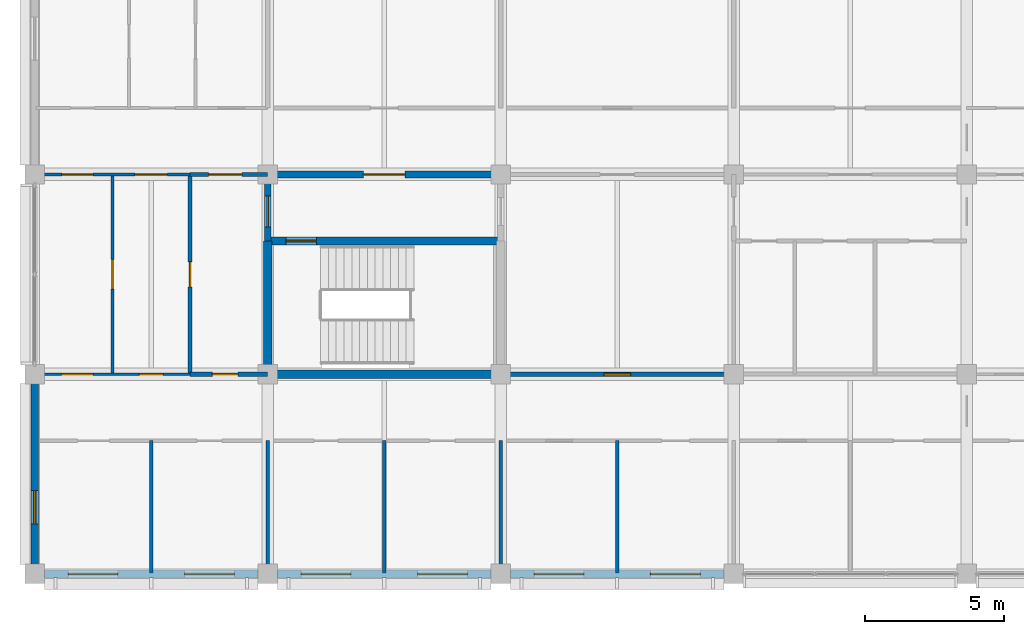
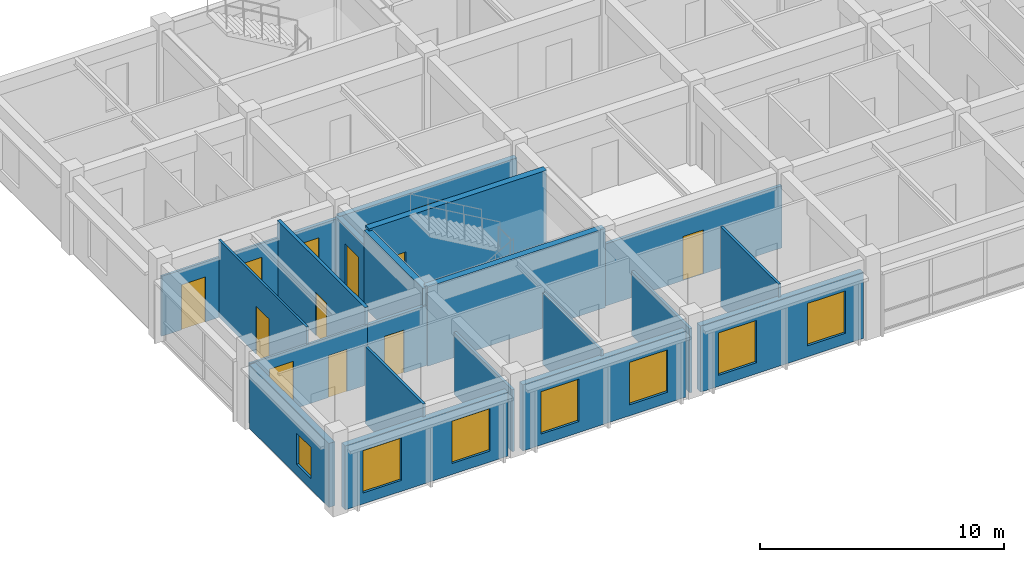
# One storey, part 10 of 19: 21 walls, 12 doors, 7 windows, 19 openings.
"""IFC4 building model written with IfcOpenShell, lengths in metres."""

from ifc_helpers import new_model, si_unit, direction, frame, frame_2d, origin, place, context, subcontext, project, spatial, rectangle, extrude, material, layer, layer_set, type_object, element, fill, save


model = new_model("IFC4")

# Units and contexts
model_context = context("Model", 3, precision=1e-05, world=origin(), true_north=direction((0.0, 1.0)))
body_context = subcontext(model_context, "Body", "Model", "MODEL_VIEW")
ifc_project = project(units=[si_unit("LENGTHUNIT", "METRE"), si_unit("AREAUNIT", "SQUARE_METRE"), si_unit("VOLUMEUNIT", "CUBIC_METRE"), si_unit("PLANEANGLEUNIT", "RADIAN"), si_unit("MASSUNIT", "GRAM", prefix="KILO")], contexts=[model_context])

# Site, building, storey
site_placement = place(None, origin())
site = spatial("IfcSite", under=ifc_project, at=site_placement, CompositionType="ELEMENT")
building_placement = place(site_placement, origin())
building = spatial("IfcBuilding", under=site, at=building_placement, Name="Chengyuan Square Courthouse", CompositionType="ELEMENT")
storey_placement = place(building_placement, frame((0.0, 0.0, 56.10009765625)))
storey = spatial("IfcBuildingStorey", under=building, at=storey_placement, Name="L13", CompositionType="ELEMENT", Elevation=56.10009765625)

# Wall, openings, windows
ifc_material_1 = material(Name="Concrete C40", Category="concrete")
ifc_layer_1 = layer(ifc_material_1, 0.280029296875)
ifc_layer_set_1 = layer_set([ifc_layer_1], Name="Concrete C40")
wall_type_1 = type_object("IfcWallType", Name="WL-EW4", PredefinedType="STANDARD", material=ifc_layer_set_1)
wall_1_placement = place(storey_placement, frame((50.7451171875, 79.199951171875, 0.0), z_axis=(0.0, 0.0, 1.0), x_axis=(1.0, 0.0, 0.0)))
wall_1 = element("IfcWall", 1, at=wall_1_placement, inside=storey, type_object=wall_type_1, Name="Exterior Wall WL-L13-E488", PredefinedType="STANDARD", context=body_context, shape_type="SweptSolid", body=[
    extrude(rectangle(XDim=7.7099609375, YDim=0.280029296875, at=frame_2d((3.85498046875, 0.0))), origin(), (0.0, 0.0, 1.0), 3.199951171875),
])
opening_1_placement = place(wall_1_placement, frame((0.85498046875, 0.0, 0.550048828125)))
opening_1 = element("IfcOpeningElement", 2, at=opening_1_placement, cuts=wall_1, Name="Opening WN-220", PredefinedType="OPENING", context=body_context, shape_type="SweptSolid", body=[
    extrude(rectangle(XDim=1.800048828125, YDim=2.1201171875, at=frame_2d((0.89990234375, 1.06005859375))), frame((0.0, 0.152099609375, 0.0), z_axis=(0.0, -1.0, 0.0), x_axis=(1.0, 0.0, 0.0)), (0.0, 0.0, 1.0), 0.303955078125),
])
opening_2_placement = place(wall_1_placement, frame((5.054931640625, 0.0, 0.550048828125)))
opening_2 = element("IfcOpeningElement", 3, at=opening_2_placement, cuts=wall_1, Name="Opening WN-221", PredefinedType="OPENING", context=body_context, shape_type="SweptSolid", body=[
    extrude(rectangle(XDim=1.800048828125, YDim=2.1201171875, at=frame_2d((0.89990234375, 1.06005859375))), frame((0.0, 0.152099609375, 0.0), z_axis=(0.0, -1.0, 0.0), x_axis=(1.0, 0.0, 0.0)), (0.0, 0.0, 1.0), 0.303955078125),
])
ifc_material_2 = material(Name="Thermally Broken Aluminium Triple Low-E Window", Category="aluminium")
window_type_1 = type_object("IfcWindowType", Name="WT-36", PartitioningType="SINGLE_PANEL", PredefinedType="WINDOW", material=ifc_material_2)
window_1_placement = place(opening_1_placement, origin())
window_1 = element("IfcWindow", 4, at=window_1_placement, inside=storey, type_object=window_type_1, Name="Facade Window WN-220", OverallHeight=2.1201171875, OverallWidth=1.800048828125, PartitioningType="SINGLE_PANEL", PredefinedType="WINDOW", context=body_context, shape_type="SweptSolid", body=[
    extrude(rectangle(XDim=1.800048828125, YDim=2.1201171875, at=frame_2d((0.89990234375, 1.06005859375))), frame((0.0, 0.030029296875, 0.0), z_axis=(0.0, -1.0, 0.0), x_axis=(1.0, 0.0, 0.0)), (0.0, 0.0, 1.0), 0.06005859375),
])
fill(opening_1, window_1)
window_2_placement = place(opening_2_placement, origin())
window_2 = element("IfcWindow", 5, at=window_2_placement, inside=storey, type_object=window_type_1, Name="Facade Window WN-221", OverallHeight=2.1201171875, OverallWidth=1.800048828125, PartitioningType="SINGLE_PANEL", PredefinedType="WINDOW", context=body_context, shape_type="SweptSolid", body=[
    extrude(rectangle(XDim=1.800048828125, YDim=2.1201171875, at=frame_2d((0.89990234375, 1.06005859375))), frame((0.0, 0.030029296875, 0.0), z_axis=(0.0, -1.0, 0.0), x_axis=(1.0, 0.0, 0.0)), (0.0, 0.0, 1.0), 0.06005859375),
])
fill(opening_2, window_2)

# Wall, opening, window
wall_2_placement = place(storey_placement, frame((50.39990234375, 79.544921875, 0.0), z_axis=(0.0, 0.0, 1.0), x_axis=(0.0, 1.0, 0.0)))
wall_2 = element("IfcWall", 6, at=wall_2_placement, inside=storey, type_object=wall_type_1, Name="Exterior Wall WL-L13-E489", PredefinedType="STANDARD", context=body_context, shape_type="SweptSolid", body=[
    extrude(rectangle(XDim=6.510009765625, YDim=0.280029296875, at=frame_2d((3.2548828125, 0.0))), origin(), (0.0, 0.0, 1.0), 3.199951171875),
])
opening_3_placement = place(wall_2_placement, frame((1.455078125, 0.0, 0.550048828125)))
opening_3 = element("IfcOpeningElement", 7, at=opening_3_placement, cuts=wall_2, Name="Opening WN-222", PredefinedType="OPENING", context=body_context, shape_type="SweptSolid", body=[
    extrude(rectangle(XDim=1.199951171875, YDim=1.56005859375, at=frame_2d((0.60009765625, 0.780029296875))), frame((0.0, 0.152099609375, 0.0), z_axis=(0.0, -1.0, 0.0), x_axis=(1.0, 0.0, 0.0)), (0.0, 0.0, 1.0), 0.303955078125),
])
window_type_2 = type_object("IfcWindowType", Name="WT-15", PartitioningType="SINGLE_PANEL", PredefinedType="WINDOW", material=ifc_material_2)
window_3_placement = place(opening_3_placement, origin())
window_3 = element("IfcWindow", 8, at=window_3_placement, inside=storey, type_object=window_type_2, Name="Facade Window WN-222", OverallHeight=1.56005859375, OverallWidth=1.199951171875, PartitioningType="SINGLE_PANEL", PredefinedType="WINDOW", context=body_context, shape_type="SweptSolid", body=[
    extrude(rectangle(XDim=1.199951171875, YDim=1.56005859375, at=frame_2d((0.60009765625, 0.780029296875))), frame((0.0, 0.030029296875, 0.0), z_axis=(0.0, -1.0, 0.0), x_axis=(1.0, 0.0, 0.0)), (0.0, 0.0, 1.0), 0.06005859375),
])
fill(opening_3, window_3)

# Wall, openings, windows
wall_3_placement = place(storey_placement, frame((59.14501953125, 79.199951171875, 0.0), z_axis=(0.0, 0.0, 1.0), x_axis=(1.0, 0.0, 0.0)))
wall_3 = element("IfcWall", 9, at=wall_3_placement, inside=storey, type_object=wall_type_1, Name="Exterior Wall WL-L13-E493", PredefinedType="STANDARD", context=body_context, shape_type="SweptSolid", body=[
    extrude(rectangle(XDim=7.7099609375, YDim=0.280029296875, at=frame_2d((3.85498046875, 0.0))), origin(), (0.0, 0.0, 1.0), 3.309814453125),
])
opening_4_placement = place(wall_3_placement, frame((0.85498046875, 0.0, 0.550048828125)))
opening_4 = element("IfcOpeningElement", 10, at=opening_4_placement, cuts=wall_3, Name="Opening WN-226", PredefinedType="OPENING", context=body_context, shape_type="SweptSolid", body=[
    extrude(rectangle(XDim=1.800048828125, YDim=2.1201171875, at=frame_2d((0.89990234375, 1.06005859375))), frame((0.0, 0.152099609375, 0.0), z_axis=(0.0, -1.0, 0.0), x_axis=(1.0, 0.0, 0.0)), (0.0, 0.0, 1.0), 0.303955078125),
])
opening_5_placement = place(wall_3_placement, frame((5.054931640625, 0.0, 0.550048828125)))
opening_5 = element("IfcOpeningElement", 11, at=opening_5_placement, cuts=wall_3, Name="Opening WN-227", PredefinedType="OPENING", context=body_context, shape_type="SweptSolid", body=[
    extrude(rectangle(XDim=1.800048828125, YDim=2.1201171875, at=frame_2d((0.89990234375, 1.06005859375))), frame((0.0, 0.152099609375, 0.0), z_axis=(0.0, -1.0, 0.0), x_axis=(1.0, 0.0, 0.0)), (0.0, 0.0, 1.0), 0.303955078125),
])
window_4_placement = place(opening_4_placement, origin())
window_4 = element("IfcWindow", 12, at=window_4_placement, inside=storey, type_object=window_type_1, Name="Facade Window WN-226", OverallHeight=2.1201171875, OverallWidth=1.800048828125, PartitioningType="SINGLE_PANEL", PredefinedType="WINDOW", context=body_context, shape_type="SweptSolid", body=[
    extrude(rectangle(XDim=1.800048828125, YDim=2.1201171875, at=frame_2d((0.89990234375, 1.06005859375))), frame((0.0, 0.030029296875, 0.0), z_axis=(0.0, -1.0, 0.0), x_axis=(1.0, 0.0, 0.0)), (0.0, 0.0, 1.0), 0.06005859375),
])
fill(opening_4, window_4)
window_5_placement = place(opening_5_placement, origin())
window_5 = element("IfcWindow", 13, at=window_5_placement, inside=storey, type_object=window_type_1, Name="Facade Window WN-227", OverallHeight=2.1201171875, OverallWidth=1.800048828125, PartitioningType="SINGLE_PANEL", PredefinedType="WINDOW", context=body_context, shape_type="SweptSolid", body=[
    extrude(rectangle(XDim=1.800048828125, YDim=2.1201171875, at=frame_2d((0.89990234375, 1.06005859375))), frame((0.0, 0.030029296875, 0.0), z_axis=(0.0, -1.0, 0.0), x_axis=(1.0, 0.0, 0.0)), (0.0, 0.0, 1.0), 0.06005859375),
])
fill(opening_5, window_5)

wall_4_placement = place(storey_placement, frame((67.544921875, 79.199951171875, 0.0), z_axis=(0.0, 0.0, 1.0), x_axis=(1.0, 0.0, 0.0)))
wall_4 = element("IfcWall", 14, at=wall_4_placement, inside=storey, type_object=wall_type_1, Name="Exterior Wall WL-L13-E495", PredefinedType="STANDARD", context=body_context, shape_type="SweptSolid", body=[
    extrude(rectangle(XDim=7.7099609375, YDim=0.280029296875, at=frame_2d((3.85498046875, 0.0))), origin(), (0.0, 0.0, 1.0), 3.309814453125),
])
opening_6_placement = place(wall_4_placement, frame((0.85498046875, 0.0, 0.550048828125)))
opening_6 = element("IfcOpeningElement", 15, at=opening_6_placement, cuts=wall_4, Name="Opening WN-228", PredefinedType="OPENING", context=body_context, shape_type="SweptSolid", body=[
    extrude(rectangle(XDim=1.800048828125, YDim=2.1201171875, at=frame_2d((0.89990234375, 1.06005859375))), frame((0.0, 0.152099609375, 0.0), z_axis=(0.0, -1.0, 0.0), x_axis=(1.0, 0.0, 0.0)), (0.0, 0.0, 1.0), 0.303955078125),
])
opening_7_placement = place(wall_4_placement, frame((5.054931640625, 0.0, 0.550048828125)))
opening_7 = element("IfcOpeningElement", 16, at=opening_7_placement, cuts=wall_4, Name="Opening WN-229", PredefinedType="OPENING", context=body_context, shape_type="SweptSolid", body=[
    extrude(rectangle(XDim=1.800048828125, YDim=2.1201171875, at=frame_2d((0.89990234375, 1.06005859375))), frame((0.0, 0.152099609375, 0.0), z_axis=(0.0, -1.0, 0.0), x_axis=(1.0, 0.0, 0.0)), (0.0, 0.0, 1.0), 0.303955078125),
])
window_6_placement = place(opening_6_placement, origin())
window_6 = element("IfcWindow", 17, at=window_6_placement, inside=storey, type_object=window_type_1, Name="Facade Window WN-228", OverallHeight=2.1201171875, OverallWidth=1.800048828125, PartitioningType="SINGLE_PANEL", PredefinedType="WINDOW", context=body_context, shape_type="SweptSolid", body=[
    extrude(rectangle(XDim=1.800048828125, YDim=2.1201171875, at=frame_2d((0.89990234375, 1.06005859375))), frame((0.0, 0.030029296875, 0.0), z_axis=(0.0, -1.0, 0.0), x_axis=(1.0, 0.0, 0.0)), (0.0, 0.0, 1.0), 0.06005859375),
])
fill(opening_6, window_6)
window_7_placement = place(opening_7_placement, origin())
window_7 = element("IfcWindow", 18, at=window_7_placement, inside=storey, type_object=window_type_1, Name="Facade Window WN-229", OverallHeight=2.1201171875, OverallWidth=1.800048828125, PartitioningType="SINGLE_PANEL", PredefinedType="WINDOW", context=body_context, shape_type="SweptSolid", body=[
    extrude(rectangle(XDim=1.800048828125, YDim=2.1201171875, at=frame_2d((0.89990234375, 1.06005859375))), frame((0.0, 0.030029296875, 0.0), z_axis=(0.0, -1.0, 0.0), x_axis=(1.0, 0.0, 0.0)), (0.0, 0.0, 1.0), 0.06005859375),
])
fill(opening_7, window_7)

# Wall, opening, door
ifc_layer_2 = layer(ifc_material_1, 0.25)
ifc_layer_set_2 = layer_set([ifc_layer_2], Name="Concrete C40")
wall_type_2 = type_object("IfcWallType", Name="WL-FW1", PredefinedType="STANDARD", material=ifc_layer_set_2)
wall_5_placement = place(storey_placement, frame((58.800048828125, 93.60009765625, 0.0), z_axis=(0.0, 0.0, 1.0), x_axis=(1.0, 0.0, 0.0)))
wall_5 = element("IfcWall", 19, at=wall_5_placement, inside=storey, type_object=wall_type_2, Name="Interior Wall WL-L13-I3784", PredefinedType="STANDARD", context=body_context, shape_type="SweptSolid", body=[
    extrude(rectangle(XDim=8.39990234375, YDim=0.25, at=frame_2d((4.199951171875, 0.0))), origin(), (0.0, 0.0, 1.0), 3.10986328125),
])
opening_8_placement = place(wall_5_placement, frame((3.449951171875, 0.0, 0.0)))
opening_8 = element("IfcOpeningElement", 20, at=opening_8_placement, cuts=wall_5, Name="Opening DR-3133", PredefinedType="OPENING", context=body_context, shape_type="SweptSolid", body=[
    extrude(rectangle(XDim=1.5, YDim=2.25, at=frame_2d((0.75, 1.125))), frame((0.0, 0.136962890625, 0.0), z_axis=(0.0, -1.0, 0.0), x_axis=(1.0, 0.0, 0.0)), (0.0, 0.0, 1.0), 0.27392578125),
])
ifc_material_3 = material(Name="Steel Q235B Glazed Fire Door", Category="steel")
door_type_1 = type_object("IfcDoorType", Name="DT-19", OperationType="DOUBLE_DOOR_SINGLE_SWING", PredefinedType="DOOR", material=ifc_material_3)
door_1_placement = place(opening_8_placement, frame((1.5, 0.0, 0.0), z_axis=(0.0, 0.0, 1.0), x_axis=(-1.0, 0.0, 0.0)))
door_1 = element("IfcDoor", 21, at=door_1_placement, inside=storey, type_object=door_type_1, Name="Interior Door DR-3133", OperationType="DOUBLE_DOOR_SINGLE_SWING", OverallHeight=2.25, OverallWidth=1.5, PredefinedType="DOOR", context=body_context, shape_type="SweptSolid", body=[
    extrude(rectangle(XDim=1.5, YDim=2.25, at=frame_2d((0.75, 1.125))), frame((0.0, 0.02490234375, 0.0), z_axis=(0.0, -1.0, 0.0), x_axis=(1.0, 0.0, 0.0)), (0.0, 0.0, 1.0), 0.050048828125),
])
fill(opening_8, door_1)

wall_6_placement = place(storey_placement, frame((58.800048828125, 91.199951171875, 0.0), z_axis=(0.0, 0.0, 1.0), x_axis=(0.0, 1.0, 0.0)))
wall_6 = element("IfcWall", 22, at=wall_6_placement, inside=storey, type_object=wall_type_2, Name="Interior Wall WL-L13-I3830", PredefinedType="STANDARD", context=body_context, shape_type="SweptSolid", body=[
    extrude(rectangle(XDim=2.400146484375, YDim=0.25, at=frame_2d((1.2001953125, 0.0))), origin(), (0.0, 0.0, 1.0), 3.099853515625),
])
opening_9_placement = place(wall_6_placement, frame((0.514892578125, 0.0, 0.0)))
opening_9 = element("IfcOpeningElement", 23, at=opening_9_placement, cuts=wall_6, Name="Opening DR-3134", PredefinedType="OPENING", context=body_context, shape_type="SweptSolid", body=[
    extrude(rectangle(XDim=1.10009765625, YDim=2.199951171875, at=frame_2d((0.550048828125, 1.10009765625))), frame((0.0, 0.136962890625, 0.0), z_axis=(0.0, -1.0, 0.0), x_axis=(1.0, 0.0, 0.0)), (0.0, 0.0, 1.0), 0.27392578125),
])
ifc_material_4 = material(Name="Steel Q235B Fire Door", Category="steel")
door_type_2 = type_object("IfcDoorType", Name="DT-10", OperationType="NOTDEFINED", PredefinedType="DOOR", material=ifc_material_4)
door_2_placement = place(opening_9_placement, origin())
door_2 = element("IfcDoor", 24, at=door_2_placement, inside=storey, type_object=door_type_2, Name="Interior Door DR-3134", OperationType="SINGLE_SWING_RIGHT", OverallHeight=2.199951171875, OverallWidth=1.10009765625, PredefinedType="DOOR", context=body_context, shape_type="SweptSolid", body=[
    extrude(rectangle(XDim=1.10009765625, YDim=2.199951171875, at=frame_2d((0.550048828125, 1.10009765625))), frame((0.0, 0.02490234375, 0.0), z_axis=(0.0, -1.0, 0.0), x_axis=(1.0, 0.0, 0.0)), (0.0, 0.0, 1.0), 0.050048828125),
])
fill(opening_9, door_2)

ifc_material_5 = material(Name="Deliberation Room Sound-Insulated Partition")
ifc_layer_3 = layer(ifc_material_5, 0.14990234375)
ifc_layer_set_3 = layer_set([ifc_layer_3], Name="Deliberation Room Sound-Insulated Partition")
wall_type_3 = type_object("IfcWallType", Name="WL-PT3", PredefinedType="STANDARD", material=ifc_layer_set_3)
wall_7_placement = place(storey_placement, frame((56.0, 86.39990234375, 0.0), z_axis=(0.0, 0.0, 1.0), x_axis=(1.0, 0.0, 0.0)))
wall_7 = element("IfcWall", 25, at=wall_7_placement, inside=storey, type_object=wall_type_3, Name="Interior Wall WL-L13-I3770", PredefinedType="STANDARD", context=body_context, shape_type="SweptSolid", body=[
    extrude(rectangle(XDim=2.800048828125, YDim=0.14990234375, at=frame_2d((1.39990234375, 0.0))), origin(), (0.0, 0.0, 1.0), 3.0),
])
opening_10_placement = place(wall_7_placement, frame((0.804931640625, 0.0, 0.0)))
opening_10 = element("IfcOpeningElement", 26, at=opening_10_placement, cuts=wall_7, Name="Opening DR-3202", PredefinedType="OPENING", context=body_context, shape_type="SweptSolid", body=[
    extrude(rectangle(XDim=0.919921875, YDim=2.14990234375, at=frame_2d((0.4599609375, 1.074951171875))), frame((0.0, 0.0869140625, 0.0), z_axis=(0.0, -1.0, 0.0), x_axis=(1.0, 0.0, 0.0)), (0.0, 0.0, 1.0), 0.173828125),
])
ifc_material_6 = material(Name="Acoustic Solid-Core Timber Door", Category="wood")
door_type_3 = type_object("IfcDoorType", Name="DT-29", OperationType="NOTDEFINED", PredefinedType="DOOR", material=ifc_material_6)
door_3_placement = place(opening_10_placement, origin())
door_3 = element("IfcDoor", 27, at=door_3_placement, inside=storey, type_object=door_type_3, Name="Interior Door DR-3202", OperationType="SINGLE_SWING_LEFT", OverallHeight=2.14990234375, OverallWidth=0.919921875, PredefinedType="DOOR", context=body_context, shape_type="SweptSolid", body=[
    extrude(rectangle(XDim=0.919921875, YDim=2.14990234375, at=frame_2d((0.4599609375, 1.074951171875))), frame((0.0, 0.02490234375, 0.0), z_axis=(0.0, -1.0, 0.0), x_axis=(1.0, 0.0, 0.0)), (0.0, 0.0, 1.0), 0.050048828125),
])
fill(opening_10, door_3)

wall_8_placement = place(storey_placement, frame((67.199951171875, 86.39990234375, 0.0), z_axis=(0.0, 0.0, 1.0), x_axis=(1.0, 0.0, 0.0)))
wall_8 = element("IfcWall", 28, at=wall_8_placement, inside=storey, type_object=wall_type_3, Name="Interior Wall WL-L13-I3772", PredefinedType="STANDARD", context=body_context, shape_type="SweptSolid", body=[
    extrude(rectangle(XDim=8.400146484375, YDim=0.14990234375, at=frame_2d((4.2001953125, 0.0))), origin(), (0.0, 0.0, 1.0), 3.10986328125),
])
opening_11_placement = place(wall_8_placement, frame((3.719970703125, 0.0, 0.0)))
opening_11 = element("IfcOpeningElement", 29, at=opening_11_placement, cuts=wall_8, Name="Opening DR-3203", PredefinedType="OPENING", context=body_context, shape_type="SweptSolid", body=[
    extrude(rectangle(XDim=0.9599609375, YDim=2.199951171875, at=frame_2d((0.47998046875, 1.10009765625))), frame((0.0, 0.0869140625, 0.0), z_axis=(0.0, -1.0, 0.0), x_axis=(1.0, 0.0, 0.0)), (0.0, 0.0, 1.0), 0.173828125),
])
door_type_4 = type_object("IfcDoorType", Name="DT-30", OperationType="NOTDEFINED", PredefinedType="DOOR", material=ifc_material_6)
door_4_placement = place(opening_11_placement, origin())
door_4 = element("IfcDoor", 30, at=door_4_placement, inside=storey, type_object=door_type_4, Name="Interior Door DR-3203", OperationType="SINGLE_SWING_RIGHT", OverallHeight=2.199951171875, OverallWidth=0.9599609375, PredefinedType="DOOR", context=body_context, shape_type="SweptSolid", body=[
    extrude(rectangle(XDim=0.9599609375, YDim=2.199951171875, at=frame_2d((0.47998046875, 1.10009765625))), frame((0.0, 0.02490234375, 0.0), z_axis=(0.0, -1.0, 0.0), x_axis=(1.0, 0.0, 0.0)), (0.0, 0.0, 1.0), 0.050048828125),
])
fill(opening_11, door_4)

wall_9_placement = place(storey_placement, frame((56.0, 93.60009765625, 0.0), z_axis=(0.0, 0.0, 1.0), x_axis=(1.0, 0.0, 0.0)))
wall_9 = element("IfcWall", 31, at=wall_9_placement, inside=storey, type_object=wall_type_3, Name="Interior Wall WL-L13-I3783", PredefinedType="STANDARD", context=body_context, shape_type="SweptSolid", body=[
    extrude(rectangle(XDim=2.800048828125, YDim=0.14990234375, at=frame_2d((1.39990234375, 0.0))), origin(), (0.0, 0.0, 1.0), 3.0),
])
opening_12_placement = place(wall_9_placement, frame((0.6650390625, 0.0, 0.0)))
opening_12 = element("IfcOpeningElement", 32, at=opening_12_placement, cuts=wall_9, Name="Opening DR-3175", PredefinedType="OPENING", context=body_context, shape_type="SweptSolid", body=[
    extrude(rectangle(XDim=1.199951171875, YDim=2.35009765625, at=frame_2d((0.60009765625, 1.175048828125))), frame((0.0, 0.0869140625, 0.0), z_axis=(0.0, -1.0, 0.0), x_axis=(1.0, 0.0, 0.0)), (0.0, 0.0, 1.0), 0.173828125),
])
door_type_5 = type_object("IfcDoorType", Name="DT-36", OperationType="NOTDEFINED", PredefinedType="DOOR", material=ifc_material_6)
door_5_placement = place(opening_12_placement, origin())
door_5 = element("IfcDoor", 33, at=door_5_placement, inside=storey, type_object=door_type_5, Name="Interior Door DR-3175", OperationType="SINGLE_SWING_RIGHT", OverallHeight=2.35009765625, OverallWidth=1.199951171875, PredefinedType="DOOR", context=body_context, shape_type="SweptSolid", body=[
    extrude(rectangle(XDim=1.199951171875, YDim=2.35009765625, at=frame_2d((0.60009765625, 1.175048828125))), frame((0.0, 0.02490234375, 0.0), z_axis=(0.0, -1.0, 0.0), x_axis=(1.0, 0.0, 0.0)), (0.0, 0.0, 1.0), 0.050048828125),
])
fill(opening_12, door_5)

wall_10_placement = place(storey_placement, frame((56.0, 86.39990234375, 0.0), z_axis=(0.0, 0.0, 1.0), x_axis=(0.0, 1.0, 0.0)))
wall_10 = element("IfcWall", 34, at=wall_10_placement, inside=storey, type_object=wall_type_3, Name="Interior Wall WL-L13-I3826", PredefinedType="STANDARD", context=body_context, shape_type="SweptSolid", body=[
    extrude(rectangle(XDim=7.2001953125, YDim=0.14990234375, at=frame_2d((3.60009765625, 0.0))), origin(), (0.0, 0.0, 1.0), 3.849853515625),
])
opening_13_placement = place(wall_10_placement, frame((3.14990234375, 0.0, 0.0)))
opening_13 = element("IfcOpeningElement", 35, at=opening_13_placement, cuts=wall_10, Name="Opening DR-3200", PredefinedType="OPENING", context=body_context, shape_type="SweptSolid", body=[
    extrude(rectangle(XDim=0.89990234375, YDim=2.14990234375, at=frame_2d((0.449951171875, 1.074951171875))), frame((0.0, 0.0869140625, 0.0), z_axis=(0.0, -1.0, 0.0), x_axis=(1.0, 0.0, 0.0)), (0.0, 0.0, 1.0), 0.173828125),
])
door_type_6 = type_object("IfcDoorType", Name="DT-27", OperationType="NOTDEFINED", PredefinedType="DOOR", material=ifc_material_6)
door_6_placement = place(opening_13_placement, origin())
door_6 = element("IfcDoor", 36, at=door_6_placement, inside=storey, type_object=door_type_6, Name="Interior Door DR-3200", OperationType="SINGLE_SWING_LEFT", OverallHeight=2.14990234375, OverallWidth=0.89990234375, PredefinedType="DOOR", context=body_context, shape_type="SweptSolid", body=[
    extrude(rectangle(XDim=0.89990234375, YDim=2.14990234375, at=frame_2d((0.449951171875, 1.074951171875))), frame((0.0, 0.02490234375, 0.0), z_axis=(0.0, -1.0, 0.0), x_axis=(1.0, 0.0, 0.0)), (0.0, 0.0, 1.0), 0.050048828125),
])
fill(opening_13, door_6)

# Walls
ifc_material_7 = material(Name="Judges Chambers Gypsum Stud Partition")
ifc_layer_4 = layer(ifc_material_7, 0.1201171875)
ifc_layer_set_4 = layer_set([ifc_layer_4], Name="Judges Chambers Gypsum Stud Partition")
wall_type_4 = type_object("IfcWallType", Name="WL-PT5", PredefinedType="STANDARD", material=ifc_layer_set_4)
wall_11_placement = place(storey_placement, frame((54.60009765625, 79.239990234375, 0.0), z_axis=(0.0, 0.0, 1.0), x_axis=(0.0, 1.0, 0.0)))
element("IfcWall", 37, at=wall_11_placement, inside=storey, type_object=wall_type_4, Name="Interior Wall WL-L13-I3825", PredefinedType="STANDARD", context=body_context, shape_type="SweptSolid", body=[
    extrude(rectangle(XDim=4.760009765625, YDim=0.1201171875, at=frame_2d((2.3798828125, 0.0))), origin(), (0.0, 0.0, 1.0), 3.849853515625),
])
wall_12_placement = place(storey_placement, frame((58.800048828125, 79.239990234375, 0.0), z_axis=(0.0, 0.0, 1.0), x_axis=(0.0, 1.0, 0.0)))
element("IfcWall", 38, at=wall_12_placement, inside=storey, type_object=wall_type_4, Name="Interior Wall WL-L13-I3828", PredefinedType="STANDARD", context=body_context, shape_type="SweptSolid", body=[
    extrude(rectangle(XDim=4.760009765625, YDim=0.1201171875, at=frame_2d((2.3798828125, 0.0))), origin(), (0.0, 0.0, 1.0), 3.099853515625),
])
wall_13_placement = place(storey_placement, frame((63.0, 79.239990234375, 0.0), z_axis=(0.0, 0.0, 1.0), x_axis=(0.0, 1.0, 0.0)))
element("IfcWall", 39, at=wall_13_placement, inside=storey, type_object=wall_type_4, Name="Interior Wall WL-L13-I3834", PredefinedType="STANDARD", context=body_context, shape_type="SweptSolid", body=[
    extrude(rectangle(XDim=4.760009765625, YDim=0.1201171875, at=frame_2d((2.3798828125, 0.0))), origin(), (0.0, 0.0, 1.0), 3.60986328125),
])
wall_14_placement = place(storey_placement, frame((67.199951171875, 79.239990234375, 0.0), z_axis=(0.0, 0.0, 1.0), x_axis=(0.0, 1.0, 0.0)))
element("IfcWall", 40, at=wall_14_placement, inside=storey, type_object=wall_type_4, Name="Interior Wall WL-L13-I3835", PredefinedType="STANDARD", context=body_context, shape_type="SweptSolid", body=[
    extrude(rectangle(XDim=4.760009765625, YDim=0.1201171875, at=frame_2d((2.3798828125, 0.0))), origin(), (0.0, 0.0, 1.0), 3.2099609375),
])
wall_15_placement = place(storey_placement, frame((71.39990234375, 79.239990234375, 0.0), z_axis=(0.0, 0.0, 1.0), x_axis=(0.0, 1.0, 0.0)))
element("IfcWall", 41, at=wall_15_placement, inside=storey, type_object=wall_type_4, Name="Interior Wall WL-L13-I3844", PredefinedType="STANDARD", context=body_context, shape_type="SweptSolid", body=[
    extrude(rectangle(XDim=4.760009765625, YDim=0.1201171875, at=frame_2d((2.3798828125, 0.0))), origin(), (0.0, 0.0, 1.0), 3.9599609375),
])

# Wall, openings, doors
ifc_material_8 = material(Name="Gypsum Plasterboard Acoustic Stud Partition")
ifc_layer_5 = layer(ifc_material_8, 0.10009765625)
ifc_layer_set_5 = layer_set([ifc_layer_5], Name="Gypsum Plasterboard Acoustic Stud Partition")
wall_type_5 = type_object("IfcWallType", Name="WL-PT6", PredefinedType="STANDARD", material=ifc_layer_set_5)
wall_16_placement = place(storey_placement, frame((50.43994140625, 86.39990234375, 0.0), z_axis=(0.0, 0.0, 1.0), x_axis=(1.0, 0.0, 0.0)))
wall_16 = element("IfcWall", 42, at=wall_16_placement, inside=storey, type_object=wall_type_5, Name="Interior Wall WL-L13-I3769", PredefinedType="STANDARD", context=body_context, shape_type="SweptSolid", body=[
    extrude(rectangle(XDim=5.56005859375, YDim=0.10009765625, at=frame_2d((2.780029296875, 0.0))), origin(), (0.0, 0.0, 1.0), 3.0),
])
opening_14_placement = place(wall_16_placement, frame((0.925048828125, 0.0, 0.0)))
opening_14 = element("IfcOpeningElement", 43, at=opening_14_placement, cuts=wall_16, Name="Opening DR-3199", PredefinedType="OPENING", context=body_context, shape_type="SweptSolid", body=[
    extrude(rectangle(XDim=1.139892578125, YDim=2.39990234375, at=frame_2d((0.56982421875, 1.199951171875))), frame((0.0, 0.06201171875, 0.0), z_axis=(0.0, -1.0, 0.0), x_axis=(1.0, 0.0, 0.0)), (0.0, 0.0, 1.0), 0.1240234375),
])
opening_15_placement = place(wall_16_placement, frame((3.72998046875, 0.0, 0.0)))
opening_15 = element("IfcOpeningElement", 44, at=opening_15_placement, cuts=wall_16, Name="Opening DR-3201", PredefinedType="OPENING", context=body_context, shape_type="SweptSolid", body=[
    extrude(rectangle(XDim=0.860107421875, YDim=2.10009765625, at=frame_2d((0.43017578125, 1.050048828125))), frame((0.0, 0.06201171875, 0.0), z_axis=(0.0, -1.0, 0.0), x_axis=(1.0, 0.0, 0.0)), (0.0, 0.0, 1.0), 0.1240234375),
])
door_type_7 = type_object("IfcDoorType", Name="DT-28", OperationType="NOTDEFINED", PredefinedType="DOOR", material=ifc_material_6)
door_7_placement = place(opening_15_placement, origin())
door_7 = element("IfcDoor", 45, at=door_7_placement, inside=storey, type_object=door_type_7, Name="Interior Door DR-3201", OperationType="SINGLE_SWING_RIGHT", OverallHeight=2.10009765625, OverallWidth=0.860107421875, PredefinedType="DOOR", context=body_context, shape_type="SweptSolid", body=[
    extrude(rectangle(XDim=0.860107421875, YDim=2.10009765625, at=frame_2d((0.43017578125, 1.050048828125))), frame((0.0, 0.02490234375, 0.0), z_axis=(0.0, -1.0, 0.0), x_axis=(1.0, 0.0, 0.0)), (0.0, 0.0, 1.0), 0.050048828125),
])
fill(opening_15, door_7)
door_type_8 = type_object("IfcDoorType", Name="DT-43", OperationType="NOTDEFINED", PredefinedType="DOOR", material=ifc_material_6)
door_8_placement = place(opening_14_placement, origin())
door_8 = element("IfcDoor", 46, at=door_8_placement, inside=storey, type_object=door_type_8, Name="Interior Door DR-3199", OperationType="SINGLE_SWING_RIGHT", OverallHeight=2.39990234375, OverallWidth=1.139892578125, PredefinedType="DOOR", context=body_context, shape_type="SweptSolid", body=[
    extrude(rectangle(XDim=1.139892578125, YDim=2.39990234375, at=frame_2d((0.56982421875, 1.199951171875))), frame((0.0, 0.02490234375, 0.0), z_axis=(0.0, -1.0, 0.0), x_axis=(1.0, 0.0, 0.0)), (0.0, 0.0, 1.0), 0.050048828125),
])
fill(opening_14, door_8)

wall_17_placement = place(storey_placement, frame((50.43994140625, 93.60009765625, 0.0), z_axis=(0.0, 0.0, 1.0), x_axis=(1.0, 0.0, 0.0)))
wall_17 = element("IfcWall", 47, at=wall_17_placement, inside=storey, type_object=wall_type_5, Name="Interior Wall WL-L13-I3782", PredefinedType="STANDARD", context=body_context, shape_type="SweptSolid", body=[
    extrude(rectangle(XDim=5.56005859375, YDim=0.10009765625, at=frame_2d((2.780029296875, 0.0))), origin(), (0.0, 0.0, 1.0), 3.0),
])
opening_16_placement = place(wall_17_placement, frame((0.93505859375, 0.0, 0.0)))
opening_16 = element("IfcOpeningElement", 48, at=opening_16_placement, cuts=wall_17, Name="Opening DR-3173", PredefinedType="OPENING", context=body_context, shape_type="SweptSolid", body=[
    extrude(rectangle(XDim=1.1201171875, YDim=2.25, at=frame_2d((0.56005859375, 1.125))), frame((0.0, 0.06201171875, 0.0), z_axis=(0.0, -1.0, 0.0), x_axis=(1.0, 0.0, 0.0)), (0.0, 0.0, 1.0), 0.1240234375),
])
opening_17_placement = place(wall_17_placement, frame((3.580078125, 0.0, 0.0)))
opening_17 = element("IfcOpeningElement", 49, at=opening_17_placement, cuts=wall_17, Name="Opening DR-3174", PredefinedType="OPENING", context=body_context, shape_type="SweptSolid", body=[
    extrude(rectangle(XDim=1.159912109375, YDim=2.300048828125, at=frame_2d((0.580078125, 1.14990234375))), frame((0.0, 0.06201171875, 0.0), z_axis=(0.0, -1.0, 0.0), x_axis=(1.0, 0.0, 0.0)), (0.0, 0.0, 1.0), 0.1240234375),
])
door_type_9 = type_object("IfcDoorType", Name="DT-34", OperationType="NOTDEFINED", PredefinedType="DOOR", material=ifc_material_6)
door_9_placement = place(opening_16_placement, origin())
door_9 = element("IfcDoor", 50, at=door_9_placement, inside=storey, type_object=door_type_9, Name="Interior Door DR-3173", OperationType="SINGLE_SWING_RIGHT", OverallHeight=2.25, OverallWidth=1.1201171875, PredefinedType="DOOR", context=body_context, shape_type="SweptSolid", body=[
    extrude(rectangle(XDim=1.1201171875, YDim=2.25, at=frame_2d((0.56005859375, 1.125))), frame((0.0, 0.02490234375, 0.0), z_axis=(0.0, -1.0, 0.0), x_axis=(1.0, 0.0, 0.0)), (0.0, 0.0, 1.0), 0.050048828125),
])
fill(opening_16, door_9)
door_type_10 = type_object("IfcDoorType", Name="DT-35", OperationType="NOTDEFINED", PredefinedType="DOOR", material=ifc_material_6)
door_10_placement = place(opening_17_placement, origin())
door_10 = element("IfcDoor", 51, at=door_10_placement, inside=storey, type_object=door_type_10, Name="Interior Door DR-3174", OperationType="SINGLE_SWING_LEFT", OverallHeight=2.300048828125, OverallWidth=1.159912109375, PredefinedType="DOOR", context=body_context, shape_type="SweptSolid", body=[
    extrude(rectangle(XDim=1.159912109375, YDim=2.300048828125, at=frame_2d((0.580078125, 1.14990234375))), frame((0.0, 0.02490234375, 0.0), z_axis=(0.0, -1.0, 0.0), x_axis=(1.0, 0.0, 0.0)), (0.0, 0.0, 1.0), 0.050048828125),
])
fill(opening_17, door_10)

# Wall, opening, door
wall_18_placement = place(storey_placement, frame((53.199951171875, 86.39990234375, 0.0), z_axis=(0.0, 0.0, 1.0), x_axis=(0.0, 1.0, 0.0)))
wall_18 = element("IfcWall", 52, at=wall_18_placement, inside=storey, type_object=wall_type_5, Name="Interior Wall WL-L13-I3823", PredefinedType="STANDARD", context=body_context, shape_type="SweptSolid", body=[
    extrude(rectangle(XDim=7.2001953125, YDim=0.10009765625, at=frame_2d((3.60009765625, 0.0))), origin(), (0.0, 0.0, 1.0), 3.849853515625),
])
opening_18_placement = place(wall_18_placement, frame((3.070068359375, 0.0, 0.0)))
opening_18 = element("IfcOpeningElement", 53, at=opening_18_placement, cuts=wall_18, Name="Opening DR-3198", PredefinedType="OPENING", context=body_context, shape_type="SweptSolid", body=[
    extrude(rectangle(XDim=1.06005859375, YDim=2.39990234375, at=frame_2d((0.530029296875, 1.199951171875))), frame((0.0, 0.06201171875, 0.0), z_axis=(0.0, -1.0, 0.0), x_axis=(1.0, 0.0, 0.0)), (0.0, 0.0, 1.0), 0.1240234375),
])
door_type_11 = type_object("IfcDoorType", Name="DT-42", OperationType="NOTDEFINED", PredefinedType="DOOR", material=ifc_material_6)
door_11_placement = place(opening_18_placement, origin())
door_11 = element("IfcDoor", 54, at=door_11_placement, inside=storey, type_object=door_type_11, Name="Interior Door DR-3198", OperationType="SINGLE_SWING_LEFT", OverallHeight=2.39990234375, OverallWidth=1.06005859375, PredefinedType="DOOR", context=body_context, shape_type="SweptSolid", body=[
    extrude(rectangle(XDim=1.06005859375, YDim=2.39990234375, at=frame_2d((0.530029296875, 1.199951171875))), frame((0.0, 0.02490234375, 0.0), z_axis=(0.0, -1.0, 0.0), x_axis=(1.0, 0.0, 0.0)), (0.0, 0.0, 1.0), 0.050048828125),
])
fill(opening_18, door_11)

# Wall
ifc_layer_6 = layer(ifc_material_1, 0.300048828125)
ifc_layer_set_6 = layer_set([ifc_layer_6], Name="Concrete C40")
wall_type_6 = type_object("IfcWallType", Name="WL-SW2", PredefinedType="SHEAR", material=ifc_layer_set_6)
wall_19_placement = place(storey_placement, frame((58.800048828125, 86.39990234375, 0.0), z_axis=(0.0, 0.0, 1.0), x_axis=(1.0, 0.0, 0.0)))
element("IfcWall", 55, at=wall_19_placement, inside=storey, type_object=wall_type_6, Name="Interior Wall WL-L13-I3771", PredefinedType="SHEAR", context=body_context, shape_type="SweptSolid", body=[
    extrude(rectangle(XDim=8.39990234375, YDim=0.300048828125, at=frame_2d((4.199951171875, 0.0))), origin(), (0.0, 0.0, 1.0), 3.9599609375),
])

# Wall, opening, door
wall_20_placement = place(storey_placement, frame((58.800048828125, 91.199951171875, 0.0), z_axis=(0.0, 0.0, 1.0), x_axis=(1.0, 0.0, 0.0)))
wall_20 = element("IfcWall", 56, at=wall_20_placement, inside=storey, type_object=wall_type_6, Name="Interior Wall WL-L13-I3779", PredefinedType="SHEAR", context=body_context, shape_type="SweptSolid", body=[
    extrude(rectangle(XDim=8.39990234375, YDim=0.300048828125, at=frame_2d((4.199951171875, 0.0))), origin(), (0.0, 0.0, 1.0), 3.9599609375),
])
opening_19_placement = place(wall_20_placement, frame((0.64990234375, 0.0, 0.0)))
opening_19 = element("IfcOpeningElement", 57, at=opening_19_placement, cuts=wall_20, Name="Opening DR-3125", PredefinedType="OPENING", context=body_context, shape_type="SweptSolid", body=[
    extrude(rectangle(XDim=1.10009765625, YDim=2.199951171875, at=frame_2d((0.550048828125, 1.10009765625))), frame((0.0, 0.162109375, 0.0), z_axis=(0.0, -1.0, 0.0), x_axis=(1.0, 0.0, 0.0)), (0.0, 0.0, 1.0), 0.323974609375),
])
door_12_placement = place(opening_19_placement, frame((1.10009765625, 0.0, 0.0), z_axis=(0.0, 0.0, 1.0), x_axis=(-1.0, 0.0, 0.0)))
door_12 = element("IfcDoor", 58, at=door_12_placement, inside=storey, type_object=door_type_2, Name="Smoke-Proof Stairwell Fire Door ST-3 DR-3125", OperationType="SINGLE_SWING_RIGHT", OverallHeight=2.199951171875, OverallWidth=1.10009765625, PredefinedType="DOOR", context=body_context, shape_type="SweptSolid", body=[
    extrude(rectangle(XDim=1.10009765625, YDim=2.199951171875, at=frame_2d((0.550048828125, 1.10009765625))), frame((0.0, 0.02490234375, 0.0), z_axis=(0.0, -1.0, 0.0), x_axis=(1.0, 0.0, 0.0)), (0.0, 0.0, 1.0), 0.050048828125),
])
fill(opening_19, door_12)

# Wall
wall_21_placement = place(storey_placement, frame((58.800048828125, 86.39990234375, 0.0), z_axis=(0.0, 0.0, 1.0), x_axis=(0.0, 1.0, 0.0)))
element("IfcWall", 59, at=wall_21_placement, inside=storey, type_object=wall_type_6, Name="Interior Wall WL-L13-I3829", PredefinedType="SHEAR", context=body_context, shape_type="SweptSolid", body=[
    extrude(rectangle(XDim=4.800048828125, YDim=0.300048828125, at=frame_2d((2.39990234375, 0.0))), origin(), (0.0, 0.0, 1.0), 3.849853515625),
])

save(model, "model.ifc")
